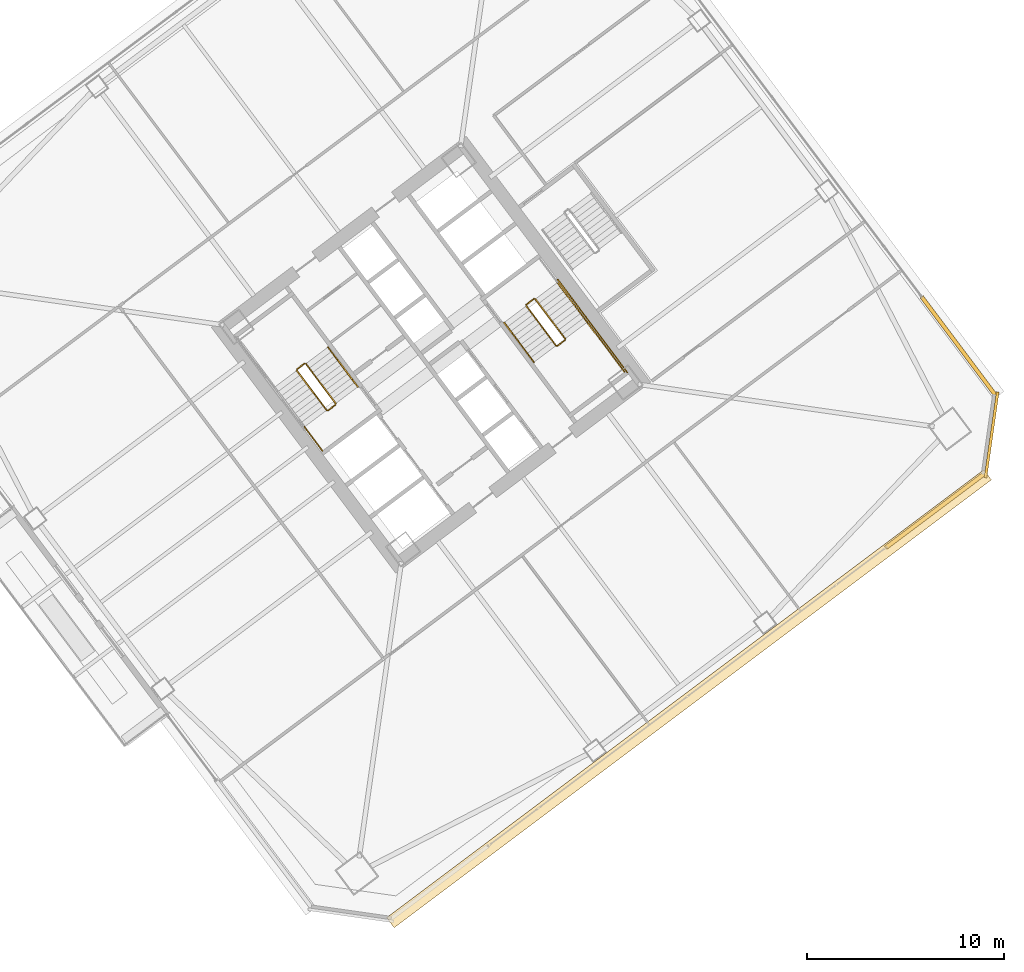
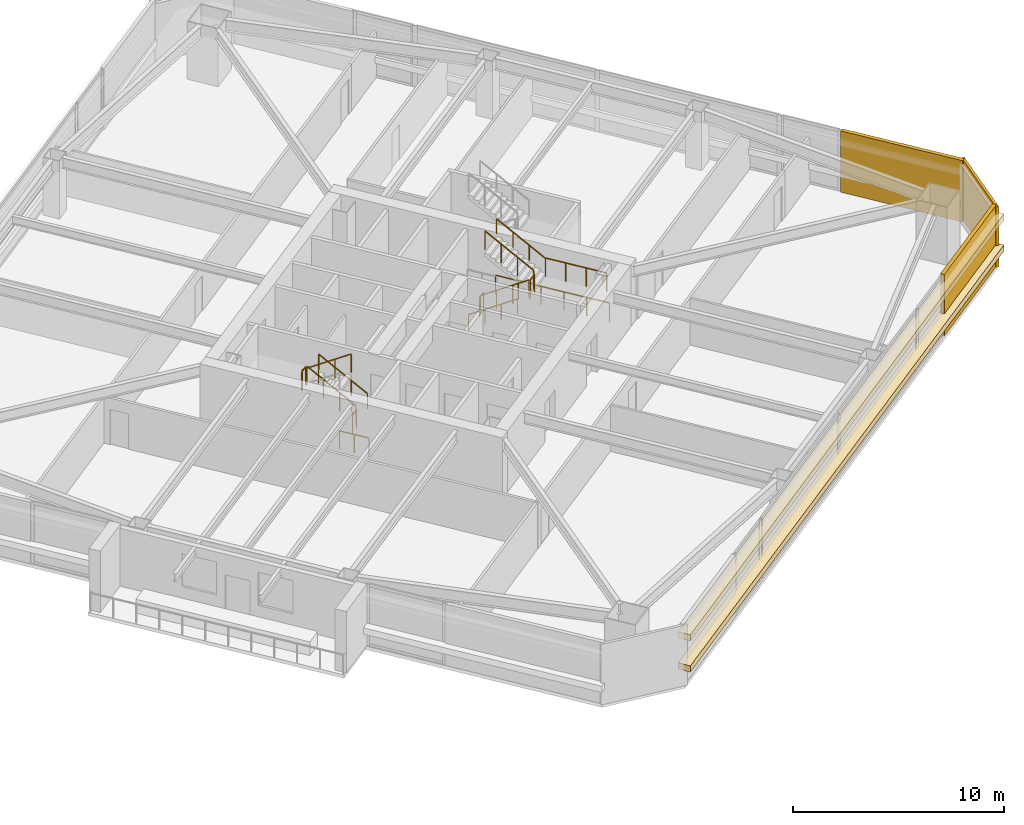
# One storey, part 44 of 48: 14 railings, 5 coverings.
"""IFC4 building model written with IfcOpenShell, lengths in metres."""

from ifc_helpers import new_model, si_unit, direction, frame, origin, origin_2d, place, context, subcontext, project, spatial, rectangle, extrude, material, layer, layer_set, type_object, element, save


model = new_model("IFC4")

# Units and contexts
model_context = context("Model", 3, precision=1e-05, world=origin(), true_north=direction((0.0, 1.0)))
body_context = subcontext(model_context, "Body", "Model", "MODEL_VIEW")
ifc_project = project(units=[si_unit("LENGTHUNIT", "METRE"), si_unit("AREAUNIT", "SQUARE_METRE"), si_unit("VOLUMEUNIT", "CUBIC_METRE"), si_unit("PLANEANGLEUNIT", "RADIAN"), si_unit("MASSUNIT", "GRAM", prefix="KILO")], contexts=[model_context])

# Site, building, storey
site_placement = place(None, origin())
site = spatial("IfcSite", under=ifc_project, at=site_placement, CompositionType="ELEMENT")
building_placement = place(site_placement, origin())
building = spatial("IfcBuilding", under=site, at=building_placement, Name="Tashvorn Skyway Center", CompositionType="ELEMENT")
storey_placement = place(building_placement, frame((0.0, 0.0, 56.550048828125)))
storey = spatial("IfcBuildingStorey", under=building, at=storey_placement, Name="L14", CompositionType="ELEMENT", Elevation=56.550048828125)

# Coverings
ifc_material_1 = material(Name="Precast concrete C40/50", Category="concrete")
ifc_layer_1 = layer(ifc_material_1, 0.199951171875)
ifc_layer_set_1 = layer_set([ifc_layer_1], Name="Precast concrete C40/50")
covering_type_1 = type_object("IfcCoveringType", Name="COV-BRACE-CLAD", PredefinedType="CLADDING", material=ifc_layer_set_1)
for number, where, z_axis, x_axis, name in (
    (1, (139.5947265625, 24.095947265625, 0.0), (0.0, 0.0, 1.0), (-0.799999996291, -0.600000004945, 0.0), "Tower 2 L14 South Unitised Curtain Wall Mega-Brace Cladding Band 1"),
    (2, (140.783935546875, 32.42138671875, 0.0), (0.0, 0.0, 1.0), (0.600000004945, -0.799999996291, 0.0), "Tower 2 L14 East Unitised Curtain Wall Mega-Brace Cladding Band 2"),
):
    element("IfcCovering", number, at=place(storey_placement, frame(where, z_axis=z_axis, x_axis=x_axis)), inside=storey, type_object=covering_type_1, Name=name, PredefinedType="CLADDING", context=body_context, shape_type="SweptSolid", body=[
        extrude(rectangle(XDim=6.29345703125, YDim=0.199951171875, at=origin_2d()), origin(), (0.0, 0.0, 1.0), 3.550048828125),
    ])
ifc_material_2 = material(Name="Perforated ceramic-coated bronze aluminium solar screen", Category="aluminium")
ifc_layer_2 = layer(ifc_material_2, 0.85009765625)
ifc_layer_set_2 = layer_set([ifc_layer_2], Name="Perforated ceramic-coated bronze aluminium solar screen")
covering_type_2 = type_object("IfcCoveringType", Name="COV-SOLAR-BAND", PredefinedType="CLADDING", material=ifc_layer_set_2)
for number, where, z_axis, x_axis, name in (
    (3, (127.092041015625, 14.5439453125, 0.919921875), (0.0, 0.0, 1.0), (-0.799999996291, -0.600000004945, 0.0), "L14 Perforated Ceramic-Metal Solar Screen Louvre Band South 1"),
    (4, (127.092041015625, 14.5439453125, 2.7197265625), (0.0, 0.0, 1.0), (-0.799999996291, -0.600000004945, 0.0), "L14 Perforated Ceramic-Metal Solar Screen Louvre Band South 2"),
):
    element("IfcCovering", number, at=place(storey_placement, frame(where, z_axis=z_axis, x_axis=x_axis)), inside=storey, type_object=covering_type_2, Name=name, PredefinedType="CLADDING", context=body_context, shape_type="SweptSolid", body=[
        extrude(rectangle(XDim=37.8798828125, YDim=0.639892578125, at=origin_2d()), origin(), (0.0, 0.0, 1.0), 0.360107421875),
    ])
ifc_layer_3 = layer(ifc_material_1, 0.35009765625)
ifc_layer_set_3 = layer_set([ifc_layer_3], Name="Precast concrete C40/50")
covering_type_3 = type_object("IfcCoveringType", Name="COV-STONE-TRIM", PredefinedType="CLADDING", material=ifc_layer_set_3)
covering_placement = place(storey_placement, frame((142.447998046875, 27.93603515625, 0.02001953125), z_axis=(0.0, 0.0, 1.0), x_axis=(0.141421350118, 0.989949494535, 0.0)))
element("IfcCovering", 5, at=covering_placement, inside=storey, type_object=covering_type_3, Name="Tower 2 L14 SE Mojave Limestone Corner Quoin", PredefinedType="CLADDING", context=body_context, shape_type="SweptSolid", body=[
    extrude(rectangle(XDim=4.402587890625, YDim=0.139892578125, at=origin_2d()), origin(), (0.0, 0.0, 1.0), 3.510009765625),
])

# Railings
ifc_material_3 = material(Name="Brushed stainless steel 316", Category="steel")
railing_type_1 = type_object("IfcRailingType", Name="RAIL-HAND-920", PredefinedType="HANDRAIL", material=ifc_material_3)
railing_1_placement = place(storey_placement, frame((110.2880859375, 30.365966796875, 0.177490234375)))
element("IfcRailing", 6, at=railing_1_placement, inside=storey, type_object=railing_type_1, Name="L14 ST-T2-1 stair handrail 1", PredefinedType="HANDRAIL", context=body_context, shape_type="SweptSolid", body=[
    extrude(rectangle(XDim=0.048095703125, YDim=0.048095703125, at=origin_2d()), frame((0.0, 0.0, 0.8759765625), z_axis=(-0.506801609611, 0.675680931896, 0.535357270211), x_axis=(-0.799976749893, -0.600030998891, 0.0)), (0.0, 0.0, 1.0), 2.98388671875),
    extrude(rectangle(XDim=0.0419921875, YDim=0.0419921875, at=origin_2d()), origin(), (0.0, 0.0, 1.0), 0.851806640625),
    extrude(rectangle(XDim=0.0419921875, YDim=0.0419921875, at=origin_2d()), frame((-0.504150390625, 0.672119140625, 0.532470703125)), (0.0, 0.0, 1.0), 0.851806640625),
    extrude(rectangle(XDim=0.0419921875, YDim=0.0419921875, at=origin_2d()), frame((-1.008056640625, 1.343994140625, 1.06494140625)), (0.0, 0.0, 1.0), 0.851806640625),
    extrude(rectangle(XDim=0.0419921875, YDim=0.0419921875, at=origin_2d()), frame((-1.51220703125, 2.01611328125, 1.597412109375)), (0.0, 0.0, 1.0), 0.851806640625),
])
railing_2_placement = place(storey_placement, frame((117.7119140625, 33.634033203125, 0.177490234375)))
element("IfcRailing", 7, at=railing_2_placement, inside=storey, type_object=railing_type_1, Name="L14 ST-T2-2 stair handrail 1", PredefinedType="HANDRAIL", context=body_context, shape_type="SweptSolid", body=[
    extrude(rectangle(XDim=0.048095703125, YDim=0.048095703125, at=origin_2d()), frame((0.0, 0.0, 0.8759765625), z_axis=(0.506801609611, -0.675680931896, 0.535357270211), x_axis=(0.799976749893, 0.600030998891, 0.0)), (0.0, 0.0, 1.0), 2.98388671875),
    extrude(rectangle(XDim=0.0419921875, YDim=0.0419921875, at=origin_2d()), origin(), (0.0, 0.0, 1.0), 0.851806640625),
    extrude(rectangle(XDim=0.0419921875, YDim=0.0419921875, at=origin_2d()), frame((0.504150390625, -0.672119140625, 0.532470703125)), (0.0, 0.0, 1.0), 0.851806640625),
    extrude(rectangle(XDim=0.0419921875, YDim=0.0419921875, at=origin_2d()), frame((1.008056640625, -1.343994140625, 1.06494140625)), (0.0, 0.0, 1.0), 0.851806640625),
    extrude(rectangle(XDim=0.0419921875, YDim=0.0419921875, at=origin_2d()), frame((1.51220703125, -2.01611328125, 1.597412109375)), (0.0, 0.0, 1.0), 0.851806640625),
])
railing_3_placement = place(storey_placement, frame((121.927978515625, 33.64599609375, 1.952392578125)))
element("IfcRailing", 8, at=railing_3_placement, inside=storey, type_object=railing_type_1, Name="L14 ST-T2-2 stair handrail 2", PredefinedType="HANDRAIL", context=body_context, shape_type="SweptSolid", body=[
    extrude(rectangle(XDim=0.048095703125, YDim=0.048095703125, at=origin_2d()), frame((0.0, 0.0, 0.8759765625), z_axis=(-0.506718600913, 0.675679348675, 0.535437836974), x_axis=(-0.800023250257, -0.599968998406, 0.0)), (0.0, 0.0, 1.0), 2.98388671875),
    extrude(rectangle(XDim=0.0419921875, YDim=0.0419921875, at=origin_2d()), origin(), (0.0, 0.0, 1.0), 0.851806640625),
    extrude(rectangle(XDim=0.0419921875, YDim=0.0419921875, at=origin_2d()), frame((-0.50390625, 0.672119140625, 0.532470703125)), (0.0, 0.0, 1.0), 0.851806640625),
    extrude(rectangle(XDim=0.0419921875, YDim=0.0419921875, at=origin_2d()), frame((-1.008056640625, 1.343994140625, 1.065185546875)), (0.0, 0.0, 1.0), 0.851806640625),
    extrude(rectangle(XDim=0.0419921875, YDim=0.0419921875, at=origin_2d()), frame((-1.511962890625, 2.01611328125, 1.59765625)), (0.0, 0.0, 1.0), 0.851806640625),
])
ifc_material_4 = material(Name="Painted galvanized steel S355", Category="steel")
railing_type_2 = type_object("IfcRailingType", Name="RAIL-STGUARD-1100", PredefinedType="GUARDRAIL", material=ifc_material_4)
railing_4_placement = place(storey_placement, frame((109.16796875, 29.52587890625, 0.177490234375)))
element("IfcRailing", 9, at=railing_4_placement, inside=storey, type_object=railing_type_2, Name="L14 ST-T2-1 stair guard 1", PredefinedType="GUARDRAIL", context=body_context, shape_type="SweptSolid", body=[
    extrude(rectangle(XDim=0.048095703125, YDim=0.048095703125, at=origin_2d()), frame((0.0, 0.0, 1.076171875), z_axis=(-0.506740800098, 0.675708949977, 0.535379469569), x_axis=(-0.800023250257, -0.599968998406, 0.0)), (0.0, 0.0, 1.0), 2.983642578125),
    extrude(rectangle(XDim=0.0419921875, YDim=0.0419921875, at=origin_2d()), origin(), (0.0, 0.0, 1.0), 1.052001953125),
    extrude(rectangle(XDim=0.0419921875, YDim=0.0419921875, at=origin_2d()), frame((-0.50390625, 0.672119140625, 0.532470703125)), (0.0, 0.0, 1.0), 1.052001953125),
    extrude(rectangle(XDim=0.0419921875, YDim=0.0419921875, at=origin_2d()), frame((-1.008056640625, 1.343994140625, 1.06494140625)), (0.0, 0.0, 1.0), 1.052001953125),
    extrude(rectangle(XDim=0.0419921875, YDim=0.0419921875, at=origin_2d()), frame((-1.511962890625, 2.01611328125, 1.597412109375)), (0.0, 0.0, 1.0), 1.052001953125),
])
railing_5_placement = place(storey_placement, frame((107.5859375, 31.552001953125, 1.77490234375)))
element("IfcRailing", 10, at=railing_5_placement, inside=storey, type_object=railing_type_2, Name="L14 ST-T2-1 stair guard 2", PredefinedType="GUARDRAIL", context=body_context, shape_type="SweptSolid", body=[
    extrude(rectangle(XDim=0.048095703125, YDim=0.048095703125, at=origin_2d()), frame((0.0, 0.0, 1.076171875), z_axis=(-0.799938970639, -0.600081363861, 0.0), x_axis=(0.600081363861, -0.799938970639, 0.0)), (0.0, 0.0, 1.0), 0.47998046875),
    extrude(rectangle(XDim=0.0419921875, YDim=0.0419921875, at=origin_2d()), origin(), (0.0, 0.0, 1.0), 1.052001953125),
    extrude(rectangle(XDim=0.0419921875, YDim=0.0419921875, at=origin_2d()), frame((-0.384033203125, -0.2880859375, 0.0)), (0.0, 0.0, 1.0), 1.052001953125),
])
railing_6_placement = place(storey_placement, frame((107.19189453125, 31.194091796875, 1.952392578125)))
element("IfcRailing", 11, at=railing_6_placement, inside=storey, type_object=railing_type_2, Name="L14 ST-T2-1 stair guard 4", PredefinedType="GUARDRAIL", context=body_context, shape_type="SweptSolid", body=[
    extrude(rectangle(XDim=0.048095703125, YDim=0.048095703125, at=origin_2d()), frame((0.0, 0.0, 1.076171875), z_axis=(0.506779409603, -0.675651334276, 0.53541563714), x_axis=(0.799976749893, 0.600030998891, 0.0)), (0.0, 0.0, 1.0), 2.98388671875),
    extrude(rectangle(XDim=0.0419921875, YDim=0.0419921875, at=origin_2d()), origin(), (0.0, 0.0, 1.0), 1.052001953125),
    extrude(rectangle(XDim=0.0419921875, YDim=0.0419921875, at=origin_2d()), frame((0.504150390625, -0.672119140625, 0.532470703125)), (0.0, 0.0, 1.0), 1.052001953125),
    extrude(rectangle(XDim=0.0419921875, YDim=0.0419921875, at=origin_2d()), frame((1.008056640625, -1.343994140625, 1.065185546875)), (0.0, 0.0, 1.0), 1.052001953125),
    extrude(rectangle(XDim=0.0419921875, YDim=0.0419921875, at=origin_2d()), frame((1.51220703125, -2.01611328125, 1.59765625)), (0.0, 0.0, 1.0), 1.052001953125),
])
railing_7_placement = place(storey_placement, frame((109.157958984375, 29.4560546875, 0.0)))
element("IfcRailing", 12, at=railing_7_placement, inside=storey, type_object=railing_type_2, Name="L14 ST-T2-1 stair guard 5", PredefinedType="GUARDRAIL", context=body_context, shape_type="SweptSolid", body=[
    extrude(rectangle(XDim=0.048095703125, YDim=0.048095703125, at=origin_2d()), frame((0.0, 0.0, 1.076171875), z_axis=(-0.799938970639, -0.600081363861, 0.0), x_axis=(0.600081363861, -0.799938970639, 0.0)), (0.0, 0.0, 1.0), 0.47998046875),
    extrude(rectangle(XDim=0.0419921875, YDim=0.0419921875, at=origin_2d()), origin(), (0.0, 0.0, 1.0), 1.052001953125),
    extrude(rectangle(XDim=0.0419921875, YDim=0.0419921875, at=origin_2d()), frame((-0.384033203125, -0.2880859375, 0.0)), (0.0, 0.0, 1.0), 1.052001953125),
])
railing_8_placement = place(storey_placement, frame((108.49609375, 27.1220703125, 0.0)))
element("IfcRailing", 13, at=railing_8_placement, inside=storey, type_object=railing_type_2, Name="L14 ST-T2-1 stair guard 6", PredefinedType="GUARDRAIL", context=body_context, shape_type="SweptSolid", body=[
    extrude(rectangle(XDim=0.048095703125, YDim=0.048095703125, at=origin_2d()), frame((0.0, 0.0, 1.076171875), z_axis=(-0.600102796382, 0.799922892393, 0.0), x_axis=(-0.799922892393, -0.600102796382, 0.0)), (0.0, 0.0, 1.0), 1.52001953125),
    extrude(rectangle(XDim=0.0419921875, YDim=0.0419921875, at=origin_2d()), origin(), (0.0, 0.0, 1.0), 1.052001953125),
    extrude(rectangle(XDim=0.0419921875, YDim=0.0419921875, at=origin_2d()), frame((-0.4560546875, 0.60791015625, 0.0)), (0.0, 0.0, 1.0), 1.052001953125),
    extrude(rectangle(XDim=0.0419921875, YDim=0.0419921875, at=origin_2d()), frame((-0.912109375, 1.2158203125, 0.0)), (0.0, 0.0, 1.0), 1.052001953125),
])
railing_9_placement = place(storey_placement, frame((118.83203125, 34.47412109375, 0.177490234375)))
element("IfcRailing", 14, at=railing_9_placement, inside=storey, type_object=railing_type_2, Name="L14 ST-T2-2 stair guard 1", PredefinedType="GUARDRAIL", context=body_context, shape_type="SweptSolid", body=[
    extrude(rectangle(XDim=0.048095703125, YDim=0.048095703125, at=origin_2d()), frame((0.0, 0.0, 1.076171875), z_axis=(0.506740800098, -0.675708949977, 0.535379469569), x_axis=(0.800023250257, 0.599968998406, 0.0)), (0.0, 0.0, 1.0), 2.983642578125),
    extrude(rectangle(XDim=0.0419921875, YDim=0.0419921875, at=origin_2d()), origin(), (0.0, 0.0, 1.0), 1.052001953125),
    extrude(rectangle(XDim=0.0419921875, YDim=0.0419921875, at=origin_2d()), frame((0.50390625, -0.672119140625, 0.532470703125)), (0.0, 0.0, 1.0), 1.052001953125),
    extrude(rectangle(XDim=0.0419921875, YDim=0.0419921875, at=origin_2d()), frame((1.008056640625, -1.343994140625, 1.06494140625)), (0.0, 0.0, 1.0), 1.052001953125),
    extrude(rectangle(XDim=0.0419921875, YDim=0.0419921875, at=origin_2d()), frame((1.511962890625, -2.01611328125, 1.597412109375)), (0.0, 0.0, 1.0), 1.052001953125),
])
railing_10_placement = place(storey_placement, frame((120.4140625, 32.447998046875, 1.77490234375)))
element("IfcRailing", 15, at=railing_10_placement, inside=storey, type_object=railing_type_2, Name="L14 ST-T2-2 stair guard 2", PredefinedType="GUARDRAIL", context=body_context, shape_type="SweptSolid", body=[
    extrude(rectangle(XDim=0.048095703125, YDim=0.048095703125, at=origin_2d()), frame((0.0, 0.0, 1.076171875), z_axis=(0.799938970639, 0.600081363861, 0.0), x_axis=(-0.600081363861, 0.799938970639, 0.0)), (0.0, 0.0, 1.0), 0.47998046875),
    extrude(rectangle(XDim=0.0419921875, YDim=0.0419921875, at=origin_2d()), origin(), (0.0, 0.0, 1.0), 1.052001953125),
    extrude(rectangle(XDim=0.0419921875, YDim=0.0419921875, at=origin_2d()), frame((0.384033203125, 0.2880859375, 0.0)), (0.0, 0.0, 1.0), 1.052001953125),
])
railing_11_placement = place(storey_placement, frame((121.927978515625, 33.64599609375, 1.77490234375)))
element("IfcRailing", 16, at=railing_11_placement, inside=storey, type_object=railing_type_2, Name="L14 ST-T2-2 stair guard 3", PredefinedType="GUARDRAIL", context=body_context, shape_type="SweptSolid", body=[
    extrude(rectangle(XDim=0.048095703125, YDim=0.048095703125, at=origin_2d()), frame((0.0, 0.0, 1.076171875), z_axis=(0.599987638607, -0.800009270896, 0.0), x_axis=(0.800009270896, 0.599987638607, 0.0)), (0.0, 0.0, 1.0), 3.16015625),
    extrude(rectangle(XDim=0.0419921875, YDim=0.0419921875, at=origin_2d()), origin(), (0.0, 0.0, 1.0), 1.052001953125),
    extrude(rectangle(XDim=0.0419921875, YDim=0.0419921875, at=origin_2d()), frame((0.632080078125, -0.8427734375, 0.0)), (0.0, 0.0, 1.0), 1.052001953125),
    extrude(rectangle(XDim=0.0419921875, YDim=0.0419921875, at=origin_2d()), frame((1.263916015625, -1.685302734375, 0.0)), (0.0, 0.0, 1.0), 1.052001953125),
    extrude(rectangle(XDim=0.0419921875, YDim=0.0419921875, at=origin_2d()), frame((1.89599609375, -2.528076171875, 0.0)), (0.0, 0.0, 1.0), 1.052001953125),
])
railing_12_placement = place(storey_placement, frame((120.80810546875, 32.805908203125, 1.952392578125)))
element("IfcRailing", 17, at=railing_12_placement, inside=storey, type_object=railing_type_2, Name="L14 ST-T2-2 stair guard 4", PredefinedType="GUARDRAIL", context=body_context, shape_type="SweptSolid", body=[
    extrude(rectangle(XDim=0.048095703125, YDim=0.048095703125, at=origin_2d()), frame((0.0, 0.0, 1.076171875), z_axis=(-0.506779409603, 0.675651334276, 0.53541563714), x_axis=(-0.799976749893, -0.600030998891, 0.0)), (0.0, 0.0, 1.0), 2.98388671875),
    extrude(rectangle(XDim=0.0419921875, YDim=0.0419921875, at=origin_2d()), origin(), (0.0, 0.0, 1.0), 1.052001953125),
    extrude(rectangle(XDim=0.0419921875, YDim=0.0419921875, at=origin_2d()), frame((-0.504150390625, 0.672119140625, 0.532470703125)), (0.0, 0.0, 1.0), 1.052001953125),
    extrude(rectangle(XDim=0.0419921875, YDim=0.0419921875, at=origin_2d()), frame((-1.008056640625, 1.343994140625, 1.065185546875)), (0.0, 0.0, 1.0), 1.052001953125),
    extrude(rectangle(XDim=0.0419921875, YDim=0.0419921875, at=origin_2d()), frame((-1.51220703125, 2.01611328125, 1.59765625)), (0.0, 0.0, 1.0), 1.052001953125),
])
railing_13_placement = place(storey_placement, frame((118.842041015625, 34.5439453125, 0.0)))
element("IfcRailing", 18, at=railing_13_placement, inside=storey, type_object=railing_type_2, Name="L14 ST-T2-2 stair guard 5", PredefinedType="GUARDRAIL", context=body_context, shape_type="SweptSolid", body=[
    extrude(rectangle(XDim=0.048095703125, YDim=0.048095703125, at=origin_2d()), frame((0.0, 0.0, 1.076171875), z_axis=(0.799938970639, 0.600081363861, 0.0), x_axis=(-0.600081363861, 0.799938970639, 0.0)), (0.0, 0.0, 1.0), 0.47998046875),
    extrude(rectangle(XDim=0.0419921875, YDim=0.0419921875, at=origin_2d()), origin(), (0.0, 0.0, 1.0), 1.052001953125),
    extrude(rectangle(XDim=0.0419921875, YDim=0.0419921875, at=origin_2d()), frame((0.384033203125, 0.2880859375, 0.0)), (0.0, 0.0, 1.0), 1.052001953125),
])
railing_14_placement = place(storey_placement, frame((120.43603515625, 35.802001953125, 0.0)))
element("IfcRailing", 19, at=railing_14_placement, inside=storey, type_object=railing_type_2, Name="L14 ST-T2-2 stair guard 7", PredefinedType="GUARDRAIL", context=body_context, shape_type="SweptSolid", body=[
    extrude(rectangle(XDim=0.048095703125, YDim=0.048095703125, at=origin_2d()), frame((0.0, 0.0, 1.076171875), z_axis=(0.6, -0.8, 0.0), x_axis=(0.8, 0.6, 0.0)), (0.0, 0.0, 1.0), 5.880126953125),
    extrude(rectangle(XDim=0.0419921875, YDim=0.0419921875, at=origin_2d()), origin(), (0.0, 0.0, 1.0), 1.052001953125),
    extrude(rectangle(XDim=0.0419921875, YDim=0.0419921875, at=origin_2d()), frame((0.70556640625, -0.94091796875, 0.0)), (0.0, 0.0, 1.0), 1.052001953125),
    extrude(rectangle(XDim=0.0419921875, YDim=0.0419921875, at=origin_2d()), frame((1.4111328125, -1.881591796875, 0.0)), (0.0, 0.0, 1.0), 1.052001953125),
    extrude(rectangle(XDim=0.0419921875, YDim=0.0419921875, at=origin_2d()), frame((2.116943359375, -2.822509765625, 0.0)), (0.0, 0.0, 1.0), 1.052001953125),
    extrude(rectangle(XDim=0.0419921875, YDim=0.0419921875, at=origin_2d()), frame((2.822509765625, -3.76318359375, 0.0)), (0.0, 0.0, 1.0), 1.052001953125),
    extrude(rectangle(XDim=0.0419921875, YDim=0.0419921875, at=origin_2d()), frame((3.528076171875, -4.7041015625, 0.0)), (0.0, 0.0, 1.0), 1.052001953125),
])

save(model, "model.ifc")
